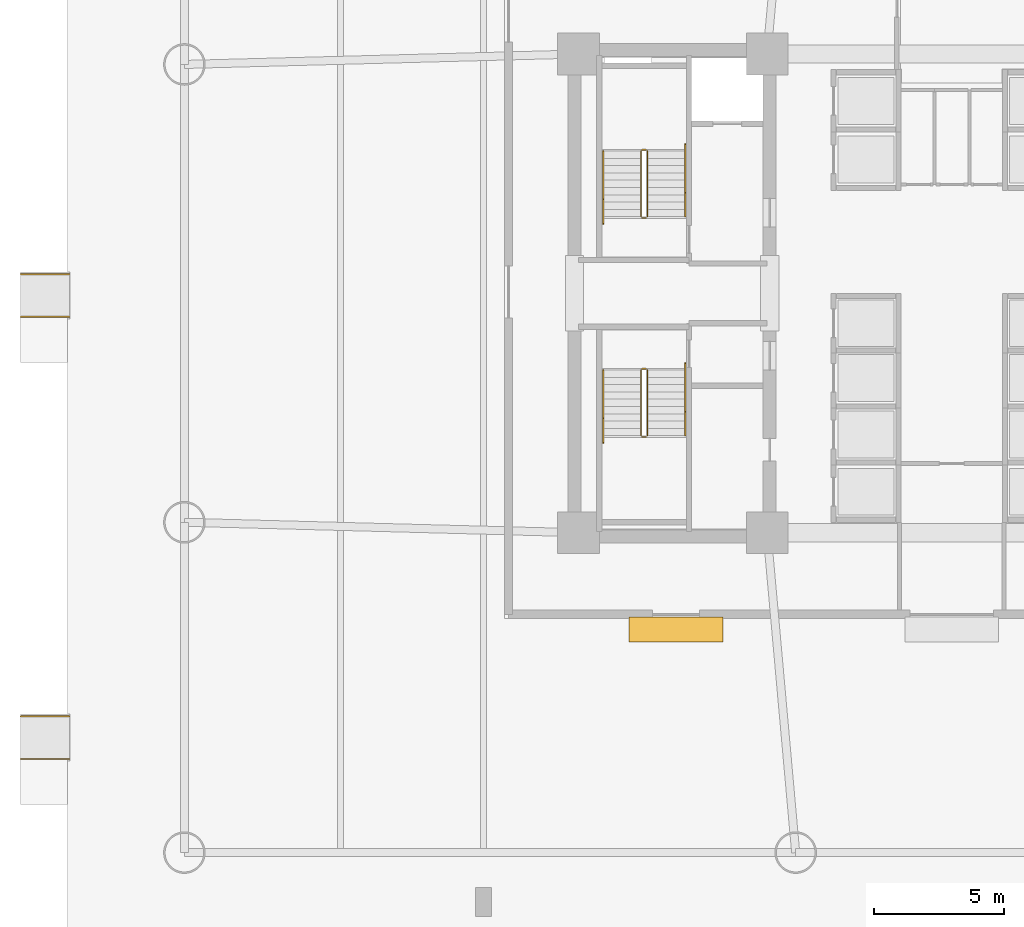
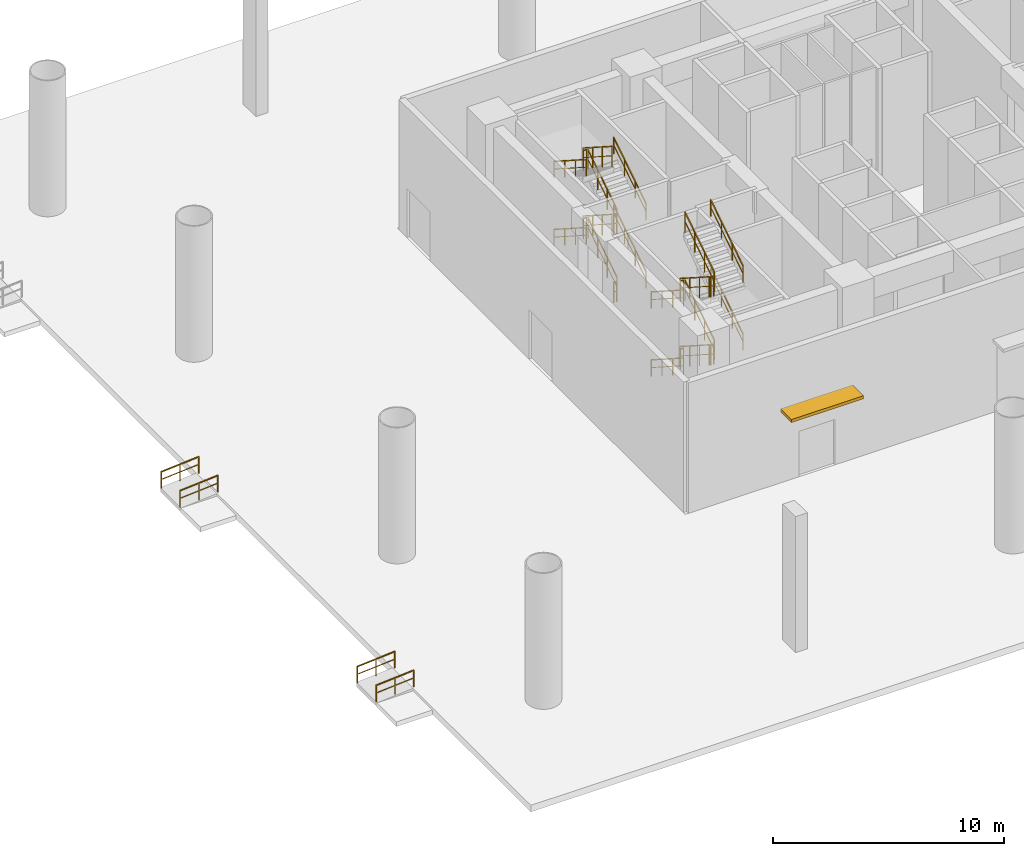
# One storey, part 7 of 10: 28 railings, 1 shading device.
"""IFC4 building model written with IfcOpenShell, lengths in metres."""

from ifc_helpers import new_model, si_unit, direction, frame, origin, origin_2d, place, context, subcontext, project, spatial, rectangle, extrude, source, transform, mapped, material, layer, layer_set, type_object, element, save


model = new_model("IFC4")

# Units and contexts
model_context = context("Model", 3, precision=1e-05, world=origin(), true_north=direction((0.0, 1.0)))
body_context = subcontext(model_context, "Body", "Model", "MODEL_VIEW")
ifc_project = project(units=[si_unit("LENGTHUNIT", "METRE"), si_unit("AREAUNIT", "SQUARE_METRE"), si_unit("VOLUMEUNIT", "CUBIC_METRE"), si_unit("PLANEANGLEUNIT", "RADIAN"), si_unit("MASSUNIT", "GRAM", prefix="KILO")], contexts=[model_context])

# Site, building, storey
site_placement = place(None, origin())
site = spatial("IfcSite", under=ifc_project, at=site_placement, CompositionType="ELEMENT")
building_placement = place(site_placement, origin())
building = spatial("IfcBuilding", under=site, at=building_placement, Name="Zahravan Cultural Tower", CompositionType="ELEMENT")
storey_placement = place(building_placement, origin())
storey = spatial("IfcBuildingStorey", under=building, at=storey_placement, Name="L00", CompositionType="ELEMENT", Elevation=0.0)

# Railings
ifc_material_1 = material(Name="Steel ASTM A572 Grade 50", Category="steel")
railing_type_1 = type_object("IfcRailingType", Name="RL-RMP-900", PredefinedType="HANDRAIL", material=ifc_material_1)
for number, where, name in (
    (1, (0.199951171875, 9.10009765625, -0.139892578125), "RMP-01 Ramp Handrail 1"),
    (2, (0.199951171875, 10.739990234375, -0.139892578125), "RMP-01 Ramp Handrail 2"),
    (3, (0.199951171875, 26.10009765625, -0.139892578125), "RMP-02 Ramp Handrail 1"),
    (4, (0.199951171875, 27.739990234375, -0.139892578125), "RMP-02 Ramp Handrail 2"),
):
    element("IfcRailing", number, at=place(storey_placement, frame(where)), inside=storey, type_object=railing_type_1, Name=name, PredefinedType="HANDRAIL", context=body_context, shape_type="SweptSolid", body=[
        extrude(rectangle(XDim=0.05, YDim=0.05, at=origin_2d()), frame((0.0, 0.0, 0.875), z_axis=(0.997243320403, 0.0, 0.074200808024), x_axis=(0.0, 1.0, 0.0)), (0.0, 0.0, 1.0), 1.88525390625),
        extrude(rectangle(XDim=0.032, YDim=0.032, at=origin_2d()), frame((0.0, 0.0, 0.468017578125), z_axis=(0.997243320403, 0.0, 0.074200808024), x_axis=(0.0, 1.0, 0.0)), (0.0, 0.0, 1.0), 1.88525390625),
        extrude(rectangle(XDim=0.04, YDim=0.04, at=origin_2d()), origin(), (0.0, 0.0, 1.0), 0.89990234375),
        extrude(rectangle(XDim=0.04, YDim=0.04, at=origin_2d()), frame((0.93994140625, 0.0, 0.06982421875)), (0.0, 0.0, 1.0), 0.89990234375),
        extrude(rectangle(XDim=0.04, YDim=0.04, at=origin_2d()), frame((1.880126953125, 0.0, 0.139892578125)), (0.0, 0.0, 1.0), 0.89990234375),
    ])
railing_type_2 = type_object("IfcRailingType", Name="RL-STAIR-GRD1150", PredefinedType="BALUSTRADE", material=ifc_material_1)
railing_1_placement = place(storey_placement, frame((24.300048828125, 29.949951171875, 0.179931640625)))
element("IfcRailing", 5, at=railing_1_placement, inside=storey, type_object=railing_type_2, Name="L00 ST-W1 stair guard 1", PredefinedType="BALUSTRADE", context=body_context, shape_type="SweptSolid", body=[
    extrude(rectangle(XDim=0.05, YDim=0.05, at=origin_2d()), frame((0.0, 0.0, 1.0751953125), z_axis=(0.0, 0.841162588446, 0.540782303519), x_axis=(-1.0, 0.0, 0.0)), (0.0, 0.0, 1.0), 2.995849609375),
    extrude(rectangle(XDim=0.032, YDim=0.032, at=origin_2d()), frame((0.0, 0.0, 0.572021484375), z_axis=(0.0, 0.841162588446, 0.540782303519), x_axis=(-1.0, 0.0, 0.0)), (0.0, 0.0, 1.0), 2.995849609375),
    extrude(rectangle(XDim=0.04, YDim=0.04, at=origin_2d()), origin(), (0.0, 0.0, 1.0), 1.10009765625),
    extrude(rectangle(XDim=0.04, YDim=0.04, at=origin_2d()), frame((0.0, 0.840087890625, 0.5400390625)), (0.0, 0.0, 1.0), 1.10009765625),
    extrude(rectangle(XDim=0.04, YDim=0.04, at=origin_2d()), frame((0.0, 1.679931640625, 1.080078125)), (0.0, 0.0, 1.0), 1.10009765625),
    extrude(rectangle(XDim=0.04, YDim=0.04, at=origin_2d()), frame((0.0, 2.52001953125, 1.6201171875)), (0.0, 0.0, 1.0), 1.10009765625),
])
railing_2_placement = place(storey_placement, frame((24.25, 32.52001953125, 1.800048828125)))
element("IfcRailing", 6, at=railing_2_placement, inside=storey, type_object=railing_type_2, Name="L00 ST-W1 stair guard 2", PredefinedType="BALUSTRADE", context=body_context, shape_type="SweptSolid", body=[
    extrude(rectangle(XDim=0.05, YDim=0.05, at=origin_2d()), frame((0.0, 0.0, 1.0751953125), z_axis=(-1.0, 0.0, 0.0), x_axis=(0.0, -1.0, 0.0)), (0.0, 0.0, 1.0), 0.14990234375),
    extrude(rectangle(XDim=0.032, YDim=0.032, at=origin_2d()), frame((0.0, 0.0, 0.572021484375), z_axis=(-1.0, 0.0, 0.0), x_axis=(0.0, -1.0, 0.0)), (0.0, 0.0, 1.0), 0.14990234375),
    extrude(rectangle(XDim=0.04, YDim=0.04, at=origin_2d()), origin(), (0.0, 0.0, 1.0), 1.10009765625),
    extrude(rectangle(XDim=0.04, YDim=0.04, at=origin_2d()), frame((-0.14990234375, 0.0, 0.0)), (0.0, 0.0, 1.0), 1.10009765625),
])
railing_3_placement = place(storey_placement, frame((24.050048828125, 32.469970703125, 1.97998046875)))
element("IfcRailing", 7, at=railing_3_placement, inside=storey, type_object=railing_type_2, Name="L00 ST-W1 stair guard 3", PredefinedType="BALUSTRADE", context=body_context, shape_type="SweptSolid", body=[
    extrude(rectangle(XDim=0.05, YDim=0.05, at=origin_2d()), frame((0.0, 0.0, 1.0751953125), z_axis=(0.0, -0.841162588446, 0.540782303519), x_axis=(1.0, 0.0, 0.0)), (0.0, 0.0, 1.0), 2.995849609375),
    extrude(rectangle(XDim=0.032, YDim=0.032, at=origin_2d()), frame((0.0, 0.0, 0.572021484375), z_axis=(0.0, -0.841162588446, 0.540782303519), x_axis=(1.0, 0.0, 0.0)), (0.0, 0.0, 1.0), 2.995849609375),
    extrude(rectangle(XDim=0.04, YDim=0.04, at=origin_2d()), origin(), (0.0, 0.0, 1.0), 1.10009765625),
    extrude(rectangle(XDim=0.04, YDim=0.04, at=origin_2d()), frame((0.0, -0.840087890625, 0.5400390625)), (0.0, 0.0, 1.0), 1.10009765625),
    extrude(rectangle(XDim=0.04, YDim=0.04, at=origin_2d()), frame((0.0, -1.679931640625, 1.080078125)), (0.0, 0.0, 1.0), 1.10009765625),
    extrude(rectangle(XDim=0.04, YDim=0.04, at=origin_2d()), frame((0.0, -2.52001953125, 1.6201171875)), (0.0, 0.0, 1.0), 1.10009765625),
])
railing_4_placement = place(storey_placement, frame((24.25, 29.89990234375, 3.60009765625)))
element("IfcRailing", 8, at=railing_4_placement, inside=storey, type_object=railing_type_2, Name="L00 ST-W1 stair guard 4", PredefinedType="BALUSTRADE", context=body_context, shape_type="SweptSolid", body=[
    extrude(rectangle(XDim=0.05, YDim=0.05, at=origin_2d()), frame((0.0, 0.0, 1.0751953125), z_axis=(-1.0, 0.0, 0.0), x_axis=(0.0, -1.0, 0.0)), (0.0, 0.0, 1.0), 0.14990234375),
    extrude(rectangle(XDim=0.032, YDim=0.032, at=origin_2d()), frame((0.0, 0.0, 0.572021484375), z_axis=(-1.0, 0.0, 0.0), x_axis=(0.0, -1.0, 0.0)), (0.0, 0.0, 1.0), 0.14990234375),
    extrude(rectangle(XDim=0.04, YDim=0.04, at=origin_2d()), origin(), (0.0, 0.0, 1.0), 1.10009765625),
    extrude(rectangle(XDim=0.04, YDim=0.04, at=origin_2d()), frame((-0.14990234375, 0.0, 0.0)), (0.0, 0.0, 1.0), 1.10009765625),
])
railing_5_placement = place(storey_placement, frame((24.300048828125, 29.949951171875, 3.780029296875)))
element("IfcRailing", 9, at=railing_5_placement, inside=storey, type_object=railing_type_2, Name="L00 ST-W1 stair guard 5", PredefinedType="BALUSTRADE", context=body_context, shape_type="SweptSolid", body=[
    extrude(rectangle(XDim=0.05, YDim=0.05, at=origin_2d()), frame((0.0, 0.0, 1.0751953125), z_axis=(0.0, 0.841199657755, 0.540724639528), x_axis=(-1.0, 0.0, 0.0)), (0.0, 0.0, 1.0), 2.995849609375),
    extrude(rectangle(XDim=0.032, YDim=0.032, at=origin_2d()), frame((0.0, 0.0, 0.572021484375), z_axis=(0.0, 0.841199657755, 0.540724639528), x_axis=(-1.0, 0.0, 0.0)), (0.0, 0.0, 1.0), 2.995849609375),
    extrude(rectangle(XDim=0.04, YDim=0.04, at=origin_2d()), origin(), (0.0, 0.0, 1.0), 1.10009765625),
    extrude(rectangle(XDim=0.04, YDim=0.04, at=origin_2d()), frame((0.0, 0.840087890625, 0.5400390625)), (0.0, 0.0, 1.0), 1.10009765625),
    extrude(rectangle(XDim=0.04, YDim=0.04, at=origin_2d()), frame((0.0, 1.679931640625, 1.079833984375)), (0.0, 0.0, 1.0), 1.10009765625),
    extrude(rectangle(XDim=0.04, YDim=0.04, at=origin_2d()), frame((0.0, 2.52001953125, 1.619873046875)), (0.0, 0.0, 1.0), 1.10009765625),
])
railing_6_placement = place(storey_placement, frame((24.25, 32.52001953125, 5.39990234375)))
element("IfcRailing", 10, at=railing_6_placement, inside=storey, type_object=railing_type_2, Name="L00 ST-W1 stair guard 6", PredefinedType="BALUSTRADE", context=body_context, shape_type="SweptSolid", body=[
    extrude(rectangle(XDim=0.05, YDim=0.05, at=origin_2d()), frame((0.0, 0.0, 1.0751953125), z_axis=(-1.0, 0.0, 0.0), x_axis=(0.0, -1.0, 0.0)), (0.0, 0.0, 1.0), 0.14990234375),
    extrude(rectangle(XDim=0.032, YDim=0.032, at=origin_2d()), frame((0.0, 0.0, 0.572021484375), z_axis=(-1.0, 0.0, 0.0), x_axis=(0.0, -1.0, 0.0)), (0.0, 0.0, 1.0), 0.14990234375),
    extrude(rectangle(XDim=0.04, YDim=0.04, at=origin_2d()), origin(), (0.0, 0.0, 1.0), 1.10009765625),
    extrude(rectangle(XDim=0.04, YDim=0.04, at=origin_2d()), frame((-0.14990234375, 0.0, 0.0)), (0.0, 0.0, 1.0), 1.10009765625),
])
railing_7_placement = place(storey_placement, frame((24.050048828125, 32.469970703125, 5.580078125)))
element("IfcRailing", 11, at=railing_7_placement, inside=storey, type_object=railing_type_2, Name="L00 ST-W1 stair guard 7", PredefinedType="BALUSTRADE", context=body_context, shape_type="SweptSolid", body=[
    extrude(rectangle(XDim=0.05, YDim=0.05, at=origin_2d()), frame((0.0, 0.0, 1.0751953125), z_axis=(0.0, -0.841199657755, 0.540724639528), x_axis=(1.0, 0.0, 0.0)), (0.0, 0.0, 1.0), 2.995849609375),
    extrude(rectangle(XDim=0.032, YDim=0.032, at=origin_2d()), frame((0.0, 0.0, 0.572021484375), z_axis=(0.0, -0.841199657755, 0.540724639528), x_axis=(1.0, 0.0, 0.0)), (0.0, 0.0, 1.0), 2.995849609375),
    extrude(rectangle(XDim=0.04, YDim=0.04, at=origin_2d()), origin(), (0.0, 0.0, 1.0), 1.10009765625),
    extrude(rectangle(XDim=0.04, YDim=0.04, at=origin_2d()), frame((0.0, -0.840087890625, 0.5400390625)), (0.0, 0.0, 1.0), 1.10009765625),
    extrude(rectangle(XDim=0.04, YDim=0.04, at=origin_2d()), frame((0.0, -1.679931640625, 1.079833984375)), (0.0, 0.0, 1.0), 1.10009765625),
    extrude(rectangle(XDim=0.04, YDim=0.04, at=origin_2d()), frame((0.0, -2.52001953125, 1.619873046875)), (0.0, 0.0, 1.0), 1.10009765625),
])
railing_8_placement = place(storey_placement, frame((24.25, 29.89990234375, 0.0)))
element("IfcRailing", 12, at=railing_8_placement, inside=storey, type_object=railing_type_2, Name="L00 ST-W1 stair guard 8", PredefinedType="BALUSTRADE", context=body_context, shape_type="SweptSolid", body=[
    extrude(rectangle(XDim=0.05, YDim=0.05, at=origin_2d()), frame((0.0, 0.0, 1.0751953125), z_axis=(-1.0, 0.0, 0.0), x_axis=(0.0, -1.0, 0.0)), (0.0, 0.0, 1.0), 0.14990234375),
    extrude(rectangle(XDim=0.032, YDim=0.032, at=origin_2d()), frame((0.0, 0.0, 0.572021484375), z_axis=(-1.0, 0.0, 0.0), x_axis=(0.0, -1.0, 0.0)), (0.0, 0.0, 1.0), 0.14990234375),
    extrude(rectangle(XDim=0.04, YDim=0.04, at=origin_2d()), origin(), (0.0, 0.0, 1.0), 1.10009765625),
    extrude(rectangle(XDim=0.04, YDim=0.04, at=origin_2d()), frame((-0.14990234375, 0.0, 0.0)), (0.0, 0.0, 1.0), 1.10009765625),
])
railing_9_placement = place(storey_placement, frame((24.050048828125, 24.050048828125, 0.179931640625)))
element("IfcRailing", 13, at=railing_9_placement, inside=storey, type_object=railing_type_2, Name="L00 ST-W2 stair guard 1", PredefinedType="BALUSTRADE", context=body_context, shape_type="SweptSolid", body=[
    extrude(rectangle(XDim=0.05, YDim=0.05, at=origin_2d()), frame((0.0, 0.0, 1.0751953125), z_axis=(0.0, -0.841162588446, 0.540782303519), x_axis=(1.0, 0.0, 0.0)), (0.0, 0.0, 1.0), 2.995849609375),
    extrude(rectangle(XDim=0.032, YDim=0.032, at=origin_2d()), frame((0.0, 0.0, 0.572021484375), z_axis=(0.0, -0.841162588446, 0.540782303519), x_axis=(1.0, 0.0, 0.0)), (0.0, 0.0, 1.0), 2.995849609375),
    extrude(rectangle(XDim=0.04, YDim=0.04, at=origin_2d()), origin(), (0.0, 0.0, 1.0), 1.10009765625),
    extrude(rectangle(XDim=0.04, YDim=0.04, at=origin_2d()), frame((0.0, -0.840087890625, 0.5400390625)), (0.0, 0.0, 1.0), 1.10009765625),
    extrude(rectangle(XDim=0.04, YDim=0.04, at=origin_2d()), frame((0.0, -1.679931640625, 1.080078125)), (0.0, 0.0, 1.0), 1.10009765625),
    extrude(rectangle(XDim=0.04, YDim=0.04, at=origin_2d()), frame((0.0, -2.52001953125, 1.6201171875)), (0.0, 0.0, 1.0), 1.10009765625),
])
railing_10_placement = place(storey_placement, frame((24.10009765625, 21.47998046875, 1.800048828125)))
element("IfcRailing", 14, at=railing_10_placement, inside=storey, type_object=railing_type_2, Name="L00 ST-W2 stair guard 2", PredefinedType="BALUSTRADE", context=body_context, shape_type="SweptSolid", body=[
    extrude(rectangle(XDim=0.05, YDim=0.05, at=origin_2d()), frame((0.0, 0.0, 1.0751953125), z_axis=(1.0, 0.0, 0.0), x_axis=(0.0, 1.0, 0.0)), (0.0, 0.0, 1.0), 0.14990234375),
    extrude(rectangle(XDim=0.032, YDim=0.032, at=origin_2d()), frame((0.0, 0.0, 0.572021484375), z_axis=(1.0, 0.0, 0.0), x_axis=(0.0, 1.0, 0.0)), (0.0, 0.0, 1.0), 0.14990234375),
    extrude(rectangle(XDim=0.04, YDim=0.04, at=origin_2d()), origin(), (0.0, 0.0, 1.0), 1.10009765625),
    extrude(rectangle(XDim=0.04, YDim=0.04, at=origin_2d()), frame((0.14990234375, 0.0, 0.0)), (0.0, 0.0, 1.0), 1.10009765625),
])
railing_11_placement = place(storey_placement, frame((24.300048828125, 21.530029296875, 1.97998046875)))
element("IfcRailing", 15, at=railing_11_placement, inside=storey, type_object=railing_type_2, Name="L00 ST-W2 stair guard 3", PredefinedType="BALUSTRADE", context=body_context, shape_type="SweptSolid", body=[
    extrude(rectangle(XDim=0.05, YDim=0.05, at=origin_2d()), frame((0.0, 0.0, 1.0751953125), z_axis=(0.0, 0.841162588446, 0.540782303519), x_axis=(-1.0, 0.0, 0.0)), (0.0, 0.0, 1.0), 2.995849609375),
    extrude(rectangle(XDim=0.032, YDim=0.032, at=origin_2d()), frame((0.0, 0.0, 0.572021484375), z_axis=(0.0, 0.841162588446, 0.540782303519), x_axis=(-1.0, 0.0, 0.0)), (0.0, 0.0, 1.0), 2.995849609375),
    extrude(rectangle(XDim=0.04, YDim=0.04, at=origin_2d()), origin(), (0.0, 0.0, 1.0), 1.10009765625),
    extrude(rectangle(XDim=0.04, YDim=0.04, at=origin_2d()), frame((0.0, 0.840087890625, 0.5400390625)), (0.0, 0.0, 1.0), 1.10009765625),
    extrude(rectangle(XDim=0.04, YDim=0.04, at=origin_2d()), frame((0.0, 1.679931640625, 1.080078125)), (0.0, 0.0, 1.0), 1.10009765625),
    extrude(rectangle(XDim=0.04, YDim=0.04, at=origin_2d()), frame((0.0, 2.52001953125, 1.6201171875)), (0.0, 0.0, 1.0), 1.10009765625),
])
railing_12_placement = place(storey_placement, frame((24.10009765625, 24.10009765625, 3.60009765625)))
element("IfcRailing", 16, at=railing_12_placement, inside=storey, type_object=railing_type_2, Name="L00 ST-W2 stair guard 4", PredefinedType="BALUSTRADE", context=body_context, shape_type="SweptSolid", body=[
    extrude(rectangle(XDim=0.05, YDim=0.05, at=origin_2d()), frame((0.0, 0.0, 1.0751953125), z_axis=(1.0, 0.0, 0.0), x_axis=(0.0, 1.0, 0.0)), (0.0, 0.0, 1.0), 0.14990234375),
    extrude(rectangle(XDim=0.032, YDim=0.032, at=origin_2d()), frame((0.0, 0.0, 0.572021484375), z_axis=(1.0, 0.0, 0.0), x_axis=(0.0, 1.0, 0.0)), (0.0, 0.0, 1.0), 0.14990234375),
    extrude(rectangle(XDim=0.04, YDim=0.04, at=origin_2d()), origin(), (0.0, 0.0, 1.0), 1.10009765625),
    extrude(rectangle(XDim=0.04, YDim=0.04, at=origin_2d()), frame((0.14990234375, 0.0, 0.0)), (0.0, 0.0, 1.0), 1.10009765625),
])
railing_13_placement = place(storey_placement, frame((24.050048828125, 24.050048828125, 3.780029296875)))
element("IfcRailing", 17, at=railing_13_placement, inside=storey, type_object=railing_type_2, Name="L00 ST-W2 stair guard 5", PredefinedType="BALUSTRADE", context=body_context, shape_type="SweptSolid", body=[
    extrude(rectangle(XDim=0.05, YDim=0.05, at=origin_2d()), frame((0.0, 0.0, 1.0751953125), z_axis=(0.0, -0.841199657755, 0.540724639528), x_axis=(1.0, 0.0, 0.0)), (0.0, 0.0, 1.0), 2.995849609375),
    extrude(rectangle(XDim=0.032, YDim=0.032, at=origin_2d()), frame((0.0, 0.0, 0.572021484375), z_axis=(0.0, -0.841199657755, 0.540724639528), x_axis=(1.0, 0.0, 0.0)), (0.0, 0.0, 1.0), 2.995849609375),
    extrude(rectangle(XDim=0.04, YDim=0.04, at=origin_2d()), origin(), (0.0, 0.0, 1.0), 1.10009765625),
    extrude(rectangle(XDim=0.04, YDim=0.04, at=origin_2d()), frame((0.0, -0.840087890625, 0.5400390625)), (0.0, 0.0, 1.0), 1.10009765625),
    extrude(rectangle(XDim=0.04, YDim=0.04, at=origin_2d()), frame((0.0, -1.679931640625, 1.079833984375)), (0.0, 0.0, 1.0), 1.10009765625),
    extrude(rectangle(XDim=0.04, YDim=0.04, at=origin_2d()), frame((0.0, -2.52001953125, 1.619873046875)), (0.0, 0.0, 1.0), 1.10009765625),
])
railing_14_placement = place(storey_placement, frame((24.10009765625, 21.47998046875, 5.39990234375)))
element("IfcRailing", 18, at=railing_14_placement, inside=storey, type_object=railing_type_2, Name="L00 ST-W2 stair guard 6", PredefinedType="BALUSTRADE", context=body_context, shape_type="SweptSolid", body=[
    extrude(rectangle(XDim=0.05, YDim=0.05, at=origin_2d()), frame((0.0, 0.0, 1.0751953125), z_axis=(1.0, 0.0, 0.0), x_axis=(0.0, 1.0, 0.0)), (0.0, 0.0, 1.0), 0.14990234375),
    extrude(rectangle(XDim=0.032, YDim=0.032, at=origin_2d()), frame((0.0, 0.0, 0.572021484375), z_axis=(1.0, 0.0, 0.0), x_axis=(0.0, 1.0, 0.0)), (0.0, 0.0, 1.0), 0.14990234375),
    extrude(rectangle(XDim=0.04, YDim=0.04, at=origin_2d()), origin(), (0.0, 0.0, 1.0), 1.10009765625),
    extrude(rectangle(XDim=0.04, YDim=0.04, at=origin_2d()), frame((0.14990234375, 0.0, 0.0)), (0.0, 0.0, 1.0), 1.10009765625),
])
railing_15_placement = place(storey_placement, frame((24.300048828125, 21.530029296875, 5.580078125)))
element("IfcRailing", 19, at=railing_15_placement, inside=storey, type_object=railing_type_2, Name="L00 ST-W2 stair guard 7", PredefinedType="BALUSTRADE", context=body_context, shape_type="SweptSolid", body=[
    extrude(rectangle(XDim=0.05, YDim=0.05, at=origin_2d()), frame((0.0, 0.0, 1.0751953125), z_axis=(0.0, 0.841199657755, 0.540724639528), x_axis=(-1.0, 0.0, 0.0)), (0.0, 0.0, 1.0), 2.995849609375),
    extrude(rectangle(XDim=0.032, YDim=0.032, at=origin_2d()), frame((0.0, 0.0, 0.572021484375), z_axis=(0.0, 0.841199657755, 0.540724639528), x_axis=(-1.0, 0.0, 0.0)), (0.0, 0.0, 1.0), 2.995849609375),
    extrude(rectangle(XDim=0.04, YDim=0.04, at=origin_2d()), origin(), (0.0, 0.0, 1.0), 1.10009765625),
    extrude(rectangle(XDim=0.04, YDim=0.04, at=origin_2d()), frame((0.0, 0.840087890625, 0.5400390625)), (0.0, 0.0, 1.0), 1.10009765625),
    extrude(rectangle(XDim=0.04, YDim=0.04, at=origin_2d()), frame((0.0, 1.679931640625, 1.079833984375)), (0.0, 0.0, 1.0), 1.10009765625),
    extrude(rectangle(XDim=0.04, YDim=0.04, at=origin_2d()), frame((0.0, 2.52001953125, 1.619873046875)), (0.0, 0.0, 1.0), 1.10009765625),
])
railing_16_placement = place(storey_placement, frame((24.10009765625, 24.10009765625, 0.0)))
element("IfcRailing", 20, at=railing_16_placement, inside=storey, type_object=railing_type_2, Name="L00 ST-W2 stair guard 8", PredefinedType="BALUSTRADE", context=body_context, shape_type="SweptSolid", body=[
    extrude(rectangle(XDim=0.05, YDim=0.05, at=origin_2d()), frame((0.0, 0.0, 1.0751953125), z_axis=(1.0, 0.0, 0.0), x_axis=(0.0, 1.0, 0.0)), (0.0, 0.0, 1.0), 0.14990234375),
    extrude(rectangle(XDim=0.032, YDim=0.032, at=origin_2d()), frame((0.0, 0.0, 0.572021484375), z_axis=(1.0, 0.0, 0.0), x_axis=(0.0, 1.0, 0.0)), (0.0, 0.0, 1.0), 0.14990234375),
    extrude(rectangle(XDim=0.04, YDim=0.04, at=origin_2d()), origin(), (0.0, 0.0, 1.0), 1.10009765625),
    extrude(rectangle(XDim=0.04, YDim=0.04, at=origin_2d()), frame((0.14990234375, 0.0, 0.0)), (0.0, 0.0, 1.0), 1.10009765625),
])
railing_type_3 = type_object("IfcRailingType", Name="RL-STAIR-HR900", PredefinedType="HANDRAIL", material=ifc_material_1)
railing_17_placement = place(storey_placement, frame((25.75, 29.949951171875, 0.179931640625)))
element("IfcRailing", 21, at=railing_17_placement, inside=storey, type_object=railing_type_3, Name="L00 ST-W1 stair handrail 1", PredefinedType="HANDRAIL", context=body_context, shape_type="SweptSolid", body=[
    extrude(rectangle(XDim=0.05, YDim=0.05, at=origin_2d()), frame((0.0, 0.0, 0.875), z_axis=(0.0, 0.841176092368, 0.540761298198), x_axis=(-1.0, 0.0, 0.0)), (0.0, 0.0, 1.0), 3.32861328125),
    extrude(rectangle(XDim=0.032, YDim=0.032, at=origin_2d()), frame((0.0, 0.0, 0.468017578125), z_axis=(0.0, 0.841176092368, 0.540761298198), x_axis=(-1.0, 0.0, 0.0)), (0.0, 0.0, 1.0), 3.32861328125),
    extrude(rectangle(XDim=0.04, YDim=0.04, at=origin_2d()), origin(), (0.0, 0.0, 1.0), 0.89990234375),
    extrude(rectangle(XDim=0.04, YDim=0.04, at=origin_2d()), frame((0.0, 0.933349609375, 0.60009765625)), (0.0, 0.0, 1.0), 0.89990234375),
    extrude(rectangle(XDim=0.04, YDim=0.04, at=origin_2d()), frame((0.0, 1.86669921875, 1.199951171875)), (0.0, 0.0, 1.0), 0.89990234375),
    extrude(rectangle(XDim=0.04, YDim=0.04, at=origin_2d()), frame((0.0, 2.800048828125, 1.800048828125)), (0.0, 0.0, 1.0), 0.89990234375),
])
railing_18_placement = place(storey_placement, frame((22.60009765625, 32.469970703125, 1.97998046875)))
element("IfcRailing", 22, at=railing_18_placement, inside=storey, type_object=railing_type_3, Name="L00 ST-W1 stair handrail 2", PredefinedType="HANDRAIL", context=body_context, shape_type="SweptSolid", body=[
    extrude(rectangle(XDim=0.05, YDim=0.05, at=origin_2d()), frame((0.0, 0.0, 0.875), z_axis=(0.0, -0.841176092368, 0.540761298198), x_axis=(1.0, 0.0, 0.0)), (0.0, 0.0, 1.0), 3.32861328125),
    extrude(rectangle(XDim=0.032, YDim=0.032, at=origin_2d()), frame((0.0, 0.0, 0.468017578125), z_axis=(0.0, -0.841176092368, 0.540761298198), x_axis=(1.0, 0.0, 0.0)), (0.0, 0.0, 1.0), 3.32861328125),
    extrude(rectangle(XDim=0.04, YDim=0.04, at=origin_2d()), origin(), (0.0, 0.0, 1.0), 0.89990234375),
    extrude(rectangle(XDim=0.04, YDim=0.04, at=origin_2d()), frame((0.0, -0.933349609375, 0.60009765625)), (0.0, 0.0, 1.0), 0.89990234375),
    extrude(rectangle(XDim=0.04, YDim=0.04, at=origin_2d()), frame((0.0, -1.86669921875, 1.199951171875)), (0.0, 0.0, 1.0), 0.89990234375),
    extrude(rectangle(XDim=0.04, YDim=0.04, at=origin_2d()), frame((0.0, -2.800048828125, 1.800048828125)), (0.0, 0.0, 1.0), 0.89990234375),
])
railing_19_placement = place(storey_placement, frame((25.75, 29.949951171875, 3.780029296875)))
element("IfcRailing", 23, at=railing_19_placement, inside=storey, type_object=railing_type_3, Name="L00 ST-W1 stair handrail 3", PredefinedType="HANDRAIL", context=body_context, shape_type="SweptSolid", body=[
    extrude(rectangle(XDim=0.05, YDim=0.05, at=origin_2d()), frame((0.0, 0.0, 0.875), z_axis=(0.0, 0.841176092368, 0.540761298198), x_axis=(-1.0, 0.0, 0.0)), (0.0, 0.0, 1.0), 3.32861328125),
    extrude(rectangle(XDim=0.032, YDim=0.032, at=origin_2d()), frame((0.0, 0.0, 0.468017578125), z_axis=(0.0, 0.841176092368, 0.540761298198), x_axis=(-1.0, 0.0, 0.0)), (0.0, 0.0, 1.0), 3.32861328125),
    extrude(rectangle(XDim=0.04, YDim=0.04, at=origin_2d()), origin(), (0.0, 0.0, 1.0), 0.89990234375),
    extrude(rectangle(XDim=0.04, YDim=0.04, at=origin_2d()), frame((0.0, 0.933349609375, 0.60009765625)), (0.0, 0.0, 1.0), 0.89990234375),
    extrude(rectangle(XDim=0.04, YDim=0.04, at=origin_2d()), frame((0.0, 1.86669921875, 1.199951171875)), (0.0, 0.0, 1.0), 0.89990234375),
    extrude(rectangle(XDim=0.04, YDim=0.04, at=origin_2d()), frame((0.0, 2.800048828125, 1.800048828125)), (0.0, 0.0, 1.0), 0.89990234375),
])
railing_20_placement = place(storey_placement, frame((22.60009765625, 32.469970703125, 5.580078125)))
element("IfcRailing", 24, at=railing_20_placement, inside=storey, type_object=railing_type_3, Name="L00 ST-W1 stair handrail 4", PredefinedType="HANDRAIL", context=body_context, shape_type="SweptSolid", body=[
    extrude(rectangle(XDim=0.05, YDim=0.05, at=origin_2d()), frame((0.0, 0.0, 0.875), z_axis=(0.0, -0.841209454229, 0.540709398952), x_axis=(1.0, 0.0, 0.0)), (0.0, 0.0, 1.0), 3.32861328125),
    extrude(rectangle(XDim=0.032, YDim=0.032, at=origin_2d()), frame((0.0, 0.0, 0.468017578125), z_axis=(0.0, -0.841209454229, 0.540709398952), x_axis=(1.0, 0.0, 0.0)), (0.0, 0.0, 1.0), 3.32861328125),
    extrude(rectangle(XDim=0.04, YDim=0.04, at=origin_2d()), origin(), (0.0, 0.0, 1.0), 0.89990234375),
    extrude(rectangle(XDim=0.04, YDim=0.04, at=origin_2d()), frame((0.0, -0.933349609375, 0.599853515625)), (0.0, 0.0, 1.0), 0.89990234375),
    extrude(rectangle(XDim=0.04, YDim=0.04, at=origin_2d()), frame((0.0, -1.86669921875, 1.199951171875)), (0.0, 0.0, 1.0), 0.89990234375),
    extrude(rectangle(XDim=0.04, YDim=0.04, at=origin_2d()), frame((0.0, -2.800048828125, 1.7998046875)), (0.0, 0.0, 1.0), 0.89990234375),
])
railing_21_placement = place(storey_placement, frame((22.60009765625, 24.050048828125, 0.179931640625)))
element("IfcRailing", 25, at=railing_21_placement, inside=storey, type_object=railing_type_3, Name="L00 ST-W2 stair handrail 1", PredefinedType="HANDRAIL", context=body_context, shape_type="SweptSolid", body=[
    extrude(rectangle(XDim=0.05, YDim=0.05, at=origin_2d()), frame((0.0, 0.0, 0.875), z_axis=(0.0, -0.841176092368, 0.540761298198), x_axis=(1.0, 0.0, 0.0)), (0.0, 0.0, 1.0), 3.32861328125),
    extrude(rectangle(XDim=0.032, YDim=0.032, at=origin_2d()), frame((0.0, 0.0, 0.468017578125), z_axis=(0.0, -0.841176092368, 0.540761298198), x_axis=(1.0, 0.0, 0.0)), (0.0, 0.0, 1.0), 3.32861328125),
    extrude(rectangle(XDim=0.04, YDim=0.04, at=origin_2d()), origin(), (0.0, 0.0, 1.0), 0.89990234375),
    extrude(rectangle(XDim=0.04, YDim=0.04, at=origin_2d()), frame((0.0, -0.933349609375, 0.60009765625)), (0.0, 0.0, 1.0), 0.89990234375),
    extrude(rectangle(XDim=0.04, YDim=0.04, at=origin_2d()), frame((0.0, -1.86669921875, 1.199951171875)), (0.0, 0.0, 1.0), 0.89990234375),
    extrude(rectangle(XDim=0.04, YDim=0.04, at=origin_2d()), frame((0.0, -2.800048828125, 1.800048828125)), (0.0, 0.0, 1.0), 0.89990234375),
])
railing_22_placement = place(storey_placement, frame((25.75, 21.530029296875, 1.97998046875)))
element("IfcRailing", 26, at=railing_22_placement, inside=storey, type_object=railing_type_3, Name="L00 ST-W2 stair handrail 2", PredefinedType="HANDRAIL", context=body_context, shape_type="SweptSolid", body=[
    extrude(rectangle(XDim=0.05, YDim=0.05, at=origin_2d()), frame((0.0, 0.0, 0.875), z_axis=(0.0, 0.841176092368, 0.540761298198), x_axis=(-1.0, 0.0, 0.0)), (0.0, 0.0, 1.0), 3.32861328125),
    extrude(rectangle(XDim=0.032, YDim=0.032, at=origin_2d()), frame((0.0, 0.0, 0.468017578125), z_axis=(0.0, 0.841176092368, 0.540761298198), x_axis=(-1.0, 0.0, 0.0)), (0.0, 0.0, 1.0), 3.32861328125),
    extrude(rectangle(XDim=0.04, YDim=0.04, at=origin_2d()), origin(), (0.0, 0.0, 1.0), 0.89990234375),
    extrude(rectangle(XDim=0.04, YDim=0.04, at=origin_2d()), frame((0.0, 0.933349609375, 0.60009765625)), (0.0, 0.0, 1.0), 0.89990234375),
    extrude(rectangle(XDim=0.04, YDim=0.04, at=origin_2d()), frame((0.0, 1.86669921875, 1.199951171875)), (0.0, 0.0, 1.0), 0.89990234375),
    extrude(rectangle(XDim=0.04, YDim=0.04, at=origin_2d()), frame((0.0, 2.800048828125, 1.800048828125)), (0.0, 0.0, 1.0), 0.89990234375),
])
railing_23_placement = place(storey_placement, frame((22.60009765625, 24.050048828125, 3.780029296875)))
element("IfcRailing", 27, at=railing_23_placement, inside=storey, type_object=railing_type_3, Name="L00 ST-W2 stair handrail 3", PredefinedType="HANDRAIL", context=body_context, shape_type="SweptSolid", body=[
    extrude(rectangle(XDim=0.05, YDim=0.05, at=origin_2d()), frame((0.0, 0.0, 0.875), z_axis=(0.0, -0.841176092368, 0.540761298198), x_axis=(1.0, 0.0, 0.0)), (0.0, 0.0, 1.0), 3.32861328125),
    extrude(rectangle(XDim=0.032, YDim=0.032, at=origin_2d()), frame((0.0, 0.0, 0.468017578125), z_axis=(0.0, -0.841176092368, 0.540761298198), x_axis=(1.0, 0.0, 0.0)), (0.0, 0.0, 1.0), 3.32861328125),
    extrude(rectangle(XDim=0.04, YDim=0.04, at=origin_2d()), origin(), (0.0, 0.0, 1.0), 0.89990234375),
    extrude(rectangle(XDim=0.04, YDim=0.04, at=origin_2d()), frame((0.0, -0.933349609375, 0.60009765625)), (0.0, 0.0, 1.0), 0.89990234375),
    extrude(rectangle(XDim=0.04, YDim=0.04, at=origin_2d()), frame((0.0, -1.86669921875, 1.199951171875)), (0.0, 0.0, 1.0), 0.89990234375),
    extrude(rectangle(XDim=0.04, YDim=0.04, at=origin_2d()), frame((0.0, -2.800048828125, 1.800048828125)), (0.0, 0.0, 1.0), 0.89990234375),
])
railing_24_placement = place(storey_placement, frame((25.75, 21.530029296875, 5.580078125)))
element("IfcRailing", 28, at=railing_24_placement, inside=storey, type_object=railing_type_3, Name="L00 ST-W2 stair handrail 4", PredefinedType="HANDRAIL", context=body_context, shape_type="SweptSolid", body=[
    extrude(rectangle(XDim=0.05, YDim=0.05, at=origin_2d()), frame((0.0, 0.0, 0.875), z_axis=(0.0, 0.841209454229, 0.540709398952), x_axis=(-1.0, 0.0, 0.0)), (0.0, 0.0, 1.0), 3.32861328125),
    extrude(rectangle(XDim=0.032, YDim=0.032, at=origin_2d()), frame((0.0, 0.0, 0.468017578125), z_axis=(0.0, 0.841209454229, 0.540709398952), x_axis=(-1.0, 0.0, 0.0)), (0.0, 0.0, 1.0), 3.32861328125),
    extrude(rectangle(XDim=0.04, YDim=0.04, at=origin_2d()), origin(), (0.0, 0.0, 1.0), 0.89990234375),
    extrude(rectangle(XDim=0.04, YDim=0.04, at=origin_2d()), frame((0.0, 0.933349609375, 0.599853515625)), (0.0, 0.0, 1.0), 0.89990234375),
    extrude(rectangle(XDim=0.04, YDim=0.04, at=origin_2d()), frame((0.0, 1.86669921875, 1.199951171875)), (0.0, 0.0, 1.0), 0.89990234375),
    extrude(rectangle(XDim=0.04, YDim=0.04, at=origin_2d()), frame((0.0, 2.800048828125, 1.7998046875)), (0.0, 0.0, 1.0), 0.89990234375),
])

# Shading device
ifc_material_2 = material(Name="Architectural terracotta fin", Category="masonry")
ifc_layer = layer(ifc_material_2, 0.159912109375)
ifc_layer_set = layer_set([ifc_layer], Name="Architectural terracotta fin")
shading_device_type = type_object("IfcShadingDeviceType", Name="SHD-SUNSHADE-950", PredefinedType="USERDEFINED", material=ifc_layer_set)
shared_shape = source(origin(), body_context, "Body", "SweptSolid", [
    extrude(rectangle(XDim=3.60009765625, YDim=0.949951171875, at=origin_2d()), origin(), (0.0, 0.0, 1.0), 0.159912109375),
])
shading_device_placement = place(storey_placement, frame((25.39990234375, 14.080078125, 3.72021484375), z_axis=(0.0, 0.0, 1.0), x_axis=(1.0, 0.0, 0.0)))
element("IfcShadingDevice", 29, at=shading_device_placement, inside=storey, type_object=shading_device_type, Name="L00 Terracotta Entrance Sunshade 04", ObjectType="SUNSHADE", PredefinedType="USERDEFINED", context=body_context, shape_type="MappedRepresentation", body=[
    mapped(shared_shape, transform((0.0, 0.0, 0.0), x_axis=(1.0, 0.0, 0.0), y_axis=(0.0, 1.0, 0.0), z_axis=(0.0, 0.0, 1.0), scale=1.0)),
])

save(model, "model.ifc")
